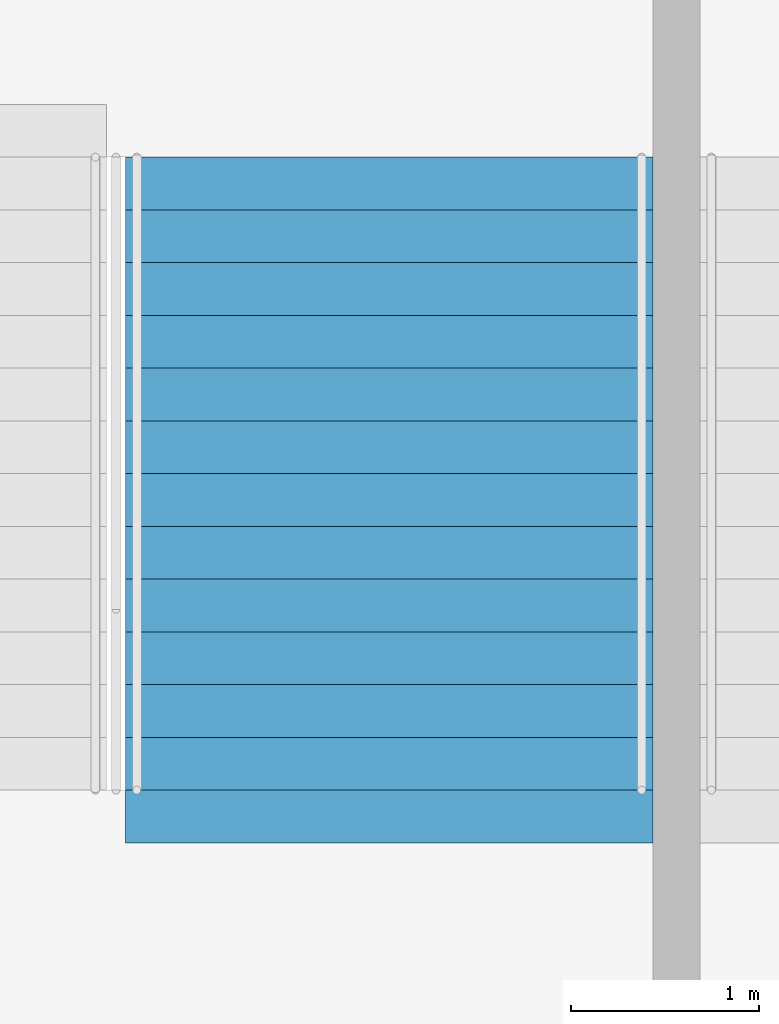
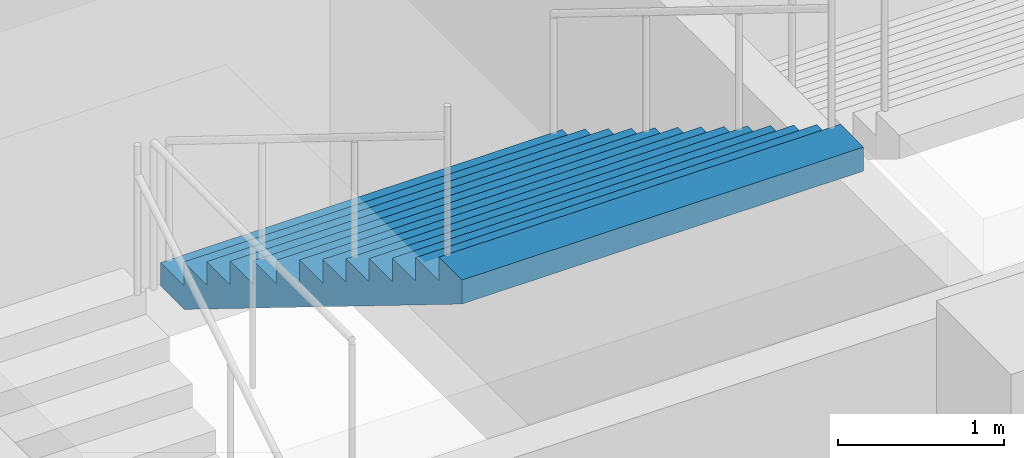
# One storey, part 216 of 249: 1 stair flight, 1 element without a shape of its own.
"""IFC4 building model written with IfcOpenShell, lengths in metres."""

from ifc_helpers import new_model, si_unit, direction, frame, origin, place, context, subcontext, project, spatial, faceted_brep, material, type_object, element, aggregate, save


model = new_model("IFC4")

# Units and contexts
model_context = context("Model", 3, precision=1e-05, world=origin(), true_north=direction((0.0, 1.0)))
body_context = subcontext(model_context, "Body", "Model", "MODEL_VIEW")
ifc_project = project(units=[si_unit("LENGTHUNIT", "METRE"), si_unit("AREAUNIT", "SQUARE_METRE"), si_unit("VOLUMEUNIT", "CUBIC_METRE"), si_unit("PLANEANGLEUNIT", "RADIAN"), si_unit("MASSUNIT", "GRAM", prefix="KILO")], contexts=[model_context])

# Site, building, storey
site_placement = place(None, origin())
site = spatial("IfcSite", under=ifc_project, at=site_placement, CompositionType="ELEMENT")
building_placement = place(site_placement, origin())
building = spatial("IfcBuilding", under=site, at=building_placement, Name="Ogive Plaza Stadium", CompositionType="ELEMENT")
storey_placement = place(building_placement, frame((0.0, 0.0, 13.5)))
storey = spatial("IfcBuildingStorey", under=building, at=storey_placement, Name="L03", CompositionType="ELEMENT", Elevation=13.5)

# Stair, stair flight
ifc_material_1 = material(Name="Concrete C40/50", Category="concrete")
stair_type = type_object("IfcStairType", Name="Exit stair", PredefinedType="STRAIGHT_RUN_STAIR", material=ifc_material_1)
stair_placement = place(storey_placement, origin())
stair = element("IfcStair", 1, at=stair_placement, inside=storey, type_object=stair_type, Name="Exit stair ST36B L03 to L04", PredefinedType="STRAIGHT_RUN_STAIR")
ifc_material_2 = material(Name="Concrete C40/50", Category="concrete")
stair_flight_type = type_object("IfcStairFlightType", Name="Exit stair flight", PredefinedType="STRAIGHT", material=ifc_material_2)
stair_flight_placement = place(storey_placement, frame((18.875, 98.2099609375, 2.25), z_axis=(0.0, 0.0, 1.0), x_axis=(0.0, -1.0, 0.0)))
stair_flight = element("IfcStairFlight", 2, at=stair_flight_placement, type_object=stair_flight_type, Name="ST36B flight 2", NumberOfRisers=13, NumberOfTreads=12, PredefinedType="STRAIGHT", RiserHeight=0.173076923, TreadLength=0.28, context=body_context, shape_type="Brep", body=[
    faceted_brep([(0.28515625, -1.39990234375, 0.0), (3.639892578125, -1.39990234375, 2.07373046875), (3.639892578125, -1.39990234375, 2.25), (3.360107421875, -1.39990234375, 2.25), (3.360107421875, -1.39990234375, 2.076904296875), (3.080078125, -1.39990234375, 2.076904296875), (3.080078125, -1.39990234375, 1.90380859375), (2.800048828125, -1.39990234375, 1.90380859375), (2.800048828125, -1.39990234375, 1.730712890625), (2.52001953125, -1.39990234375, 1.730712890625), (2.52001953125, -1.39990234375, 1.5576171875), (2.239990234375, -1.39990234375, 1.5576171875), (2.239990234375, -1.39990234375, 1.384521484375), (1.9599609375, -1.39990234375, 1.384521484375), (1.9599609375, -1.39990234375, 1.21142578125), (1.679931640625, -1.39990234375, 1.21142578125), (1.679931640625, -1.39990234375, 1.03857421875), (1.39990234375, -1.39990234375, 1.03857421875), (1.39990234375, -1.39990234375, 0.865478515625), (1.1201171875, -1.39990234375, 0.865478515625), (1.1201171875, -1.39990234375, 0.6923828125), (0.840087890625, -1.39990234375, 0.6923828125), (0.840087890625, -1.39990234375, 0.519287109375), (0.56005859375, -1.39990234375, 0.519287109375), (0.56005859375, -1.39990234375, 0.34619140625), (0.280029296875, -1.39990234375, 0.34619140625), (0.280029296875, -1.39990234375, 0.173095703125), (0.0, -1.39990234375, 0.173095703125), (0.0, -1.39990234375, 0.0), (0.0, 1.39990234375, 0.0), (0.0, 1.39990234375, 0.173095703125), (0.280029296875, 1.39990234375, 0.173095703125), (0.280029296875, 1.39990234375, 0.34619140625), (0.56005859375, 1.39990234375, 0.34619140625), (0.56005859375, 1.39990234375, 0.519287109375), (0.840087890625, 1.39990234375, 0.519287109375), (0.840087890625, 1.39990234375, 0.6923828125), (1.1201171875, 1.39990234375, 0.6923828125), (1.1201171875, 1.39990234375, 0.865478515625), (1.39990234375, 1.39990234375, 0.865478515625), (1.39990234375, 1.39990234375, 1.03857421875), (1.679931640625, 1.39990234375, 1.03857421875), (1.679931640625, 1.39990234375, 1.21142578125), (1.9599609375, 1.39990234375, 1.21142578125), (1.9599609375, 1.39990234375, 1.384521484375), (2.239990234375, 1.39990234375, 1.384521484375), (2.239990234375, 1.39990234375, 1.5576171875), (2.52001953125, 1.39990234375, 1.5576171875), (2.52001953125, 1.39990234375, 1.730712890625), (2.800048828125, 1.39990234375, 1.730712890625), (2.800048828125, 1.39990234375, 1.90380859375), (3.080078125, 1.39990234375, 1.90380859375), (3.080078125, 1.39990234375, 2.076904296875), (3.360107421875, 1.39990234375, 2.076904296875), (3.360107421875, 1.39990234375, 2.25), (3.639892578125, 1.39990234375, 2.25), (3.639892578125, 1.39990234375, 2.07373046875), (0.28515625, 1.39990234375, 0.0), (0.28515625, -1.0888671875, 0.0), (3.639892578125, -1.0888671875, 2.07373046875), (0.28515625, -0.77783203125, 0.0), (3.639892578125, -0.77783203125, 2.07373046875), (0.28515625, -0.466796875, 0.0), (3.639892578125, -0.466796875, 2.07373046875), (0.28515625, -0.155517578125, 0.0), (3.639892578125, -0.155517578125, 2.07373046875), (0.28515625, 0.155517578125, 0.0), (3.639892578125, 0.155517578125, 2.07373046875), (0.28515625, 0.466796875, 0.0), (3.639892578125, 0.466796875, 2.07373046875), (0.28515625, 0.77783203125, 0.0), (3.639892578125, 0.77783203125, 2.07373046875), (0.28515625, 1.0888671875, 0.0), (3.639892578125, 1.0888671875, 2.07373046875), (3.639892578125, -1.0888671875, 2.25), (3.639892578125, -0.77783203125, 2.25), (3.639892578125, -0.466796875, 2.25), (3.639892578125, -0.155517578125, 2.25), (3.639892578125, 0.155517578125, 2.25), (3.639892578125, 0.466796875, 2.25), (3.639892578125, 0.77783203125, 2.25), (3.639892578125, 1.0888671875, 2.25), (3.360107421875, -1.0888671875, 2.25), (3.360107421875, -0.77783203125, 2.25), (3.360107421875, -0.466796875, 2.25), (3.360107421875, -0.155517578125, 2.25), (3.360107421875, 0.155517578125, 2.25), (3.360107421875, 0.466796875, 2.25), (3.360107421875, 0.77783203125, 2.25), (3.360107421875, 1.0888671875, 2.25), (3.360107421875, -1.0888671875, 2.076904296875), (3.360107421875, -0.77783203125, 2.076904296875), (3.360107421875, -0.466796875, 2.076904296875), (3.360107421875, -0.155517578125, 2.076904296875), (3.360107421875, 0.155517578125, 2.076904296875), (3.360107421875, 0.466796875, 2.076904296875), (3.360107421875, 0.77783203125, 2.076904296875), (3.360107421875, 1.0888671875, 2.076904296875), (3.080078125, -1.0888671875, 2.076904296875), (3.080078125, -0.77783203125, 2.076904296875), (3.080078125, -0.466796875, 2.076904296875), (3.080078125, -0.155517578125, 2.076904296875), (3.080078125, 0.155517578125, 2.076904296875), (3.080078125, 0.466796875, 2.076904296875), (3.080078125, 0.77783203125, 2.076904296875), (3.080078125, 1.0888671875, 2.076904296875), (3.080078125, -1.0888671875, 1.90380859375), (3.080078125, -0.77783203125, 1.90380859375), (3.080078125, -0.466796875, 1.90380859375), (3.080078125, -0.155517578125, 1.90380859375), (3.080078125, 0.155517578125, 1.90380859375), (3.080078125, 0.466796875, 1.90380859375), (3.080078125, 0.77783203125, 1.90380859375), (3.080078125, 1.0888671875, 1.90380859375), (2.800048828125, -1.0888671875, 1.90380859375), (2.800048828125, -0.77783203125, 1.90380859375), (2.800048828125, -0.466796875, 1.90380859375), (2.800048828125, -0.155517578125, 1.90380859375), (2.800048828125, 0.155517578125, 1.90380859375), (2.800048828125, 0.466796875, 1.90380859375), (2.800048828125, 0.77783203125, 1.90380859375), (2.800048828125, 1.0888671875, 1.90380859375), (2.800048828125, -1.0888671875, 1.730712890625), (2.800048828125, -0.77783203125, 1.730712890625), (2.800048828125, -0.466796875, 1.730712890625), (2.800048828125, -0.155517578125, 1.730712890625), (2.800048828125, 0.155517578125, 1.730712890625), (2.800048828125, 0.466796875, 1.730712890625), (2.800048828125, 0.77783203125, 1.730712890625), (2.800048828125, 1.0888671875, 1.730712890625), (2.52001953125, -1.0888671875, 1.730712890625), (2.52001953125, -0.77783203125, 1.730712890625), (2.52001953125, -0.466796875, 1.730712890625), (2.52001953125, -0.155517578125, 1.730712890625), (2.52001953125, 0.155517578125, 1.730712890625), (2.52001953125, 0.466796875, 1.730712890625), (2.52001953125, 0.77783203125, 1.730712890625), (2.52001953125, 1.0888671875, 1.730712890625), (2.52001953125, -1.0888671875, 1.5576171875), (2.52001953125, -0.77783203125, 1.5576171875), (2.52001953125, -0.466796875, 1.5576171875), (2.52001953125, -0.155517578125, 1.5576171875), (2.52001953125, 0.155517578125, 1.5576171875), (2.52001953125, 0.466796875, 1.5576171875), (2.52001953125, 0.77783203125, 1.5576171875), (2.52001953125, 1.0888671875, 1.5576171875), (2.239990234375, -1.0888671875, 1.5576171875), (2.239990234375, -0.77783203125, 1.5576171875), (2.239990234375, -0.466796875, 1.5576171875), (2.239990234375, -0.155517578125, 1.5576171875), (2.239990234375, 0.155517578125, 1.5576171875), (2.239990234375, 0.466796875, 1.5576171875), (2.239990234375, 0.77783203125, 1.5576171875), (2.239990234375, 1.0888671875, 1.5576171875), (2.239990234375, -1.0888671875, 1.384521484375), (2.239990234375, -0.77783203125, 1.384521484375), (2.239990234375, -0.466796875, 1.384521484375), (2.239990234375, -0.155517578125, 1.384521484375), (2.239990234375, 0.155517578125, 1.384521484375), (2.239990234375, 0.466796875, 1.384521484375), (2.239990234375, 0.77783203125, 1.384521484375), (2.239990234375, 1.0888671875, 1.384521484375), (1.9599609375, -1.0888671875, 1.384521484375), (1.9599609375, -0.77783203125, 1.384521484375), (1.9599609375, -0.466796875, 1.384521484375), (1.9599609375, -0.155517578125, 1.384521484375), (1.9599609375, 0.155517578125, 1.384521484375), (1.9599609375, 0.466796875, 1.384521484375), (1.9599609375, 0.77783203125, 1.384521484375), (1.9599609375, 1.0888671875, 1.384521484375), (1.9599609375, -1.0888671875, 1.21142578125), (1.9599609375, -0.77783203125, 1.21142578125), (1.9599609375, -0.466796875, 1.21142578125), (1.9599609375, -0.155517578125, 1.21142578125), (1.9599609375, 0.155517578125, 1.21142578125), (1.9599609375, 0.466796875, 1.21142578125), (1.9599609375, 0.77783203125, 1.21142578125), (1.9599609375, 1.0888671875, 1.21142578125), (1.679931640625, -1.0888671875, 1.21142578125), (1.679931640625, -0.77783203125, 1.21142578125), (1.679931640625, -0.466796875, 1.21142578125), (1.679931640625, -0.155517578125, 1.21142578125), (1.679931640625, 0.155517578125, 1.21142578125), (1.679931640625, 0.466796875, 1.21142578125), (1.679931640625, 0.77783203125, 1.21142578125), (1.679931640625, 1.0888671875, 1.21142578125), (1.679931640625, -1.0888671875, 1.03857421875), (1.679931640625, -0.77783203125, 1.03857421875), (1.679931640625, -0.466796875, 1.03857421875), (1.679931640625, -0.155517578125, 1.03857421875), (1.679931640625, 0.155517578125, 1.03857421875), (1.679931640625, 0.466796875, 1.03857421875), (1.679931640625, 0.77783203125, 1.03857421875), (1.679931640625, 1.0888671875, 1.03857421875), (1.39990234375, -1.0888671875, 1.03857421875), (1.39990234375, -0.77783203125, 1.03857421875), (1.39990234375, -0.466796875, 1.03857421875), (1.39990234375, -0.155517578125, 1.03857421875), (1.39990234375, 0.155517578125, 1.03857421875), (1.39990234375, 0.466796875, 1.03857421875), (1.39990234375, 0.77783203125, 1.03857421875), (1.39990234375, 1.0888671875, 1.03857421875), (1.39990234375, -1.0888671875, 0.865478515625), (1.39990234375, -0.77783203125, 0.865478515625), (1.39990234375, -0.466796875, 0.865478515625), (1.39990234375, -0.155517578125, 0.865478515625), (1.39990234375, 0.155517578125, 0.865478515625), (1.39990234375, 0.466796875, 0.865478515625), (1.39990234375, 0.77783203125, 0.865478515625), (1.39990234375, 1.0888671875, 0.865478515625), (1.1201171875, -1.0888671875, 0.865478515625), (1.1201171875, -0.77783203125, 0.865478515625), (1.1201171875, -0.466796875, 0.865478515625), (1.1201171875, -0.155517578125, 0.865478515625), (1.1201171875, 0.155517578125, 0.865478515625), (1.1201171875, 0.466796875, 0.865478515625), (1.1201171875, 0.77783203125, 0.865478515625), (1.1201171875, 1.0888671875, 0.865478515625), (1.1201171875, -1.0888671875, 0.6923828125), (1.1201171875, -0.77783203125, 0.6923828125), (1.1201171875, -0.466796875, 0.6923828125), (1.1201171875, -0.155517578125, 0.6923828125), (1.1201171875, 0.155517578125, 0.6923828125), (1.1201171875, 0.466796875, 0.6923828125), (1.1201171875, 0.77783203125, 0.6923828125), (1.1201171875, 1.0888671875, 0.6923828125), (0.840087890625, -1.0888671875, 0.6923828125), (0.840087890625, -0.77783203125, 0.6923828125), (0.840087890625, -0.466796875, 0.6923828125), (0.840087890625, -0.155517578125, 0.6923828125), (0.840087890625, 0.155517578125, 0.6923828125), (0.840087890625, 0.466796875, 0.6923828125), (0.840087890625, 0.77783203125, 0.6923828125), (0.840087890625, 1.0888671875, 0.6923828125), (0.840087890625, -1.0888671875, 0.519287109375), (0.840087890625, -0.77783203125, 0.519287109375), (0.840087890625, -0.466796875, 0.519287109375), (0.840087890625, -0.155517578125, 0.519287109375), (0.840087890625, 0.155517578125, 0.519287109375), (0.840087890625, 0.466796875, 0.519287109375), (0.840087890625, 0.77783203125, 0.519287109375), (0.840087890625, 1.0888671875, 0.519287109375), (0.56005859375, -1.0888671875, 0.519287109375), (0.56005859375, -0.77783203125, 0.519287109375), (0.56005859375, -0.466796875, 0.519287109375), (0.56005859375, -0.155517578125, 0.519287109375), (0.56005859375, 0.155517578125, 0.519287109375), (0.56005859375, 0.466796875, 0.519287109375), (0.56005859375, 0.77783203125, 0.519287109375), (0.56005859375, 1.0888671875, 0.519287109375), (0.56005859375, -1.0888671875, 0.34619140625), (0.56005859375, -0.77783203125, 0.34619140625), (0.56005859375, -0.466796875, 0.34619140625), (0.56005859375, -0.155517578125, 0.34619140625), (0.56005859375, 0.155517578125, 0.34619140625), (0.56005859375, 0.466796875, 0.34619140625), (0.56005859375, 0.77783203125, 0.34619140625), (0.56005859375, 1.0888671875, 0.34619140625), (0.280029296875, -1.0888671875, 0.34619140625), (0.280029296875, -0.77783203125, 0.34619140625), (0.280029296875, -0.466796875, 0.34619140625), (0.280029296875, -0.155517578125, 0.34619140625), (0.280029296875, 0.155517578125, 0.34619140625), (0.280029296875, 0.466796875, 0.34619140625), (0.280029296875, 0.77783203125, 0.34619140625), (0.280029296875, 1.0888671875, 0.34619140625), (0.280029296875, -1.0888671875, 0.173095703125), (0.280029296875, -0.77783203125, 0.173095703125), (0.280029296875, -0.466796875, 0.173095703125), (0.280029296875, -0.155517578125, 0.173095703125), (0.280029296875, 0.155517578125, 0.173095703125), (0.280029296875, 0.466796875, 0.173095703125), (0.280029296875, 0.77783203125, 0.173095703125), (0.280029296875, 1.0888671875, 0.173095703125), (0.0, -1.0888671875, 0.173095703125), (0.0, -0.77783203125, 0.173095703125), (0.0, -0.466796875, 0.173095703125), (0.0, -0.155517578125, 0.173095703125), (0.0, 0.155517578125, 0.173095703125), (0.0, 0.466796875, 0.173095703125), (0.0, 0.77783203125, 0.173095703125), (0.0, 1.0888671875, 0.173095703125), (0.0, -1.0888671875, 0.0), (0.0, -0.77783203125, 0.0), (0.0, -0.466796875, 0.0), (0.0, -0.155517578125, 0.0), (0.0, 0.155517578125, 0.0), (0.0, 0.466796875, 0.0), (0.0, 0.77783203125, 0.0), (0.0, 1.0888671875, 0.0)], [[[0, 1, 2, 3, 4, 5, 6, 7, 8, 9, 10, 11, 12, 13, 14, 15, 16, 17, 18, 19, 20, 21, 22, 23, 24, 25, 26, 27, 28]], [[29, 30, 31, 32, 33, 34, 35, 36, 37, 38, 39, 40, 41, 42, 43, 44, 45, 46, 47, 48, 49, 50, 51, 52, 53, 54, 55, 56, 57]], [[0, 58, 59, 1]], [[58, 60, 61, 59]], [[60, 62, 63, 61]], [[62, 64, 65, 63]], [[64, 66, 67, 65]], [[66, 68, 69, 67]], [[68, 70, 71, 69]], [[70, 72, 73, 71]], [[72, 57, 56, 73]], [[1, 59, 74, 2]], [[59, 61, 75, 74]], [[61, 63, 76, 75]], [[63, 65, 77, 76]], [[65, 67, 78, 77]], [[67, 69, 79, 78]], [[69, 71, 80, 79]], [[71, 73, 81, 80]], [[73, 56, 55, 81]], [[2, 74, 82, 3]], [[74, 75, 83, 82]], [[75, 76, 84, 83]], [[76, 77, 85, 84]], [[77, 78, 86, 85]], [[78, 79, 87, 86]], [[79, 80, 88, 87]], [[80, 81, 89, 88]], [[81, 55, 54, 89]], [[3, 82, 90, 4]], [[82, 83, 91, 90]], [[83, 84, 92, 91]], [[84, 85, 93, 92]], [[85, 86, 94, 93]], [[86, 87, 95, 94]], [[87, 88, 96, 95]], [[88, 89, 97, 96]], [[89, 54, 53, 97]], [[4, 90, 98, 5]], [[90, 91, 99, 98]], [[91, 92, 100, 99]], [[92, 93, 101, 100]], [[93, 94, 102, 101]], [[94, 95, 103, 102]], [[95, 96, 104, 103]], [[96, 97, 105, 104]], [[97, 53, 52, 105]], [[5, 98, 106, 6]], [[98, 99, 107, 106]], [[99, 100, 108, 107]], [[100, 101, 109, 108]], [[101, 102, 110, 109]], [[102, 103, 111, 110]], [[103, 104, 112, 111]], [[104, 105, 113, 112]], [[105, 52, 51, 113]], [[6, 106, 114, 7]], [[106, 107, 115, 114]], [[107, 108, 116, 115]], [[108, 109, 117, 116]], [[109, 110, 118, 117]], [[110, 111, 119, 118]], [[111, 112, 120, 119]], [[112, 113, 121, 120]], [[113, 51, 50, 121]], [[7, 114, 122, 8]], [[114, 115, 123, 122]], [[115, 116, 124, 123]], [[116, 117, 125, 124]], [[117, 118, 126, 125]], [[118, 119, 127, 126]], [[119, 120, 128, 127]], [[120, 121, 129, 128]], [[121, 50, 49, 129]], [[8, 122, 130, 9]], [[122, 123, 131, 130]], [[123, 124, 132, 131]], [[124, 125, 133, 132]], [[125, 126, 134, 133]], [[126, 127, 135, 134]], [[127, 128, 136, 135]], [[128, 129, 137, 136]], [[129, 49, 48, 137]], [[9, 130, 138, 10]], [[130, 131, 139, 138]], [[131, 132, 140, 139]], [[132, 133, 141, 140]], [[133, 134, 142, 141]], [[134, 135, 143, 142]], [[135, 136, 144, 143]], [[136, 137, 145, 144]], [[137, 48, 47, 145]], [[10, 138, 146, 11]], [[138, 139, 147, 146]], [[139, 140, 148, 147]], [[140, 141, 149, 148]], [[141, 142, 150, 149]], [[142, 143, 151, 150]], [[143, 144, 152, 151]], [[144, 145, 153, 152]], [[145, 47, 46, 153]], [[11, 146, 154, 12]], [[146, 147, 155, 154]], [[147, 148, 156, 155]], [[148, 149, 157, 156]], [[149, 150, 158, 157]], [[150, 151, 159, 158]], [[151, 152, 160, 159]], [[152, 153, 161, 160]], [[153, 46, 45, 161]], [[12, 154, 162, 13]], [[154, 155, 163, 162]], [[155, 156, 164, 163]], [[156, 157, 165, 164]], [[157, 158, 166, 165]], [[158, 159, 167, 166]], [[159, 160, 168, 167]], [[160, 161, 169, 168]], [[161, 45, 44, 169]], [[13, 162, 170, 14]], [[162, 163, 171, 170]], [[163, 164, 172, 171]], [[164, 165, 173, 172]], [[165, 166, 174, 173]], [[166, 167, 175, 174]], [[167, 168, 176, 175]], [[168, 169, 177, 176]], [[169, 44, 43, 177]], [[14, 170, 178, 15]], [[170, 171, 179, 178]], [[171, 172, 180, 179]], [[172, 173, 181, 180]], [[173, 174, 182, 181]], [[174, 175, 183, 182]], [[175, 176, 184, 183]], [[176, 177, 185, 184]], [[177, 43, 42, 185]], [[15, 178, 186, 16]], [[178, 179, 187, 186]], [[179, 180, 188, 187]], [[180, 181, 189, 188]], [[181, 182, 190, 189]], [[182, 183, 191, 190]], [[183, 184, 192, 191]], [[184, 185, 193, 192]], [[185, 42, 41, 193]], [[16, 186, 194, 17]], [[186, 187, 195, 194]], [[187, 188, 196, 195]], [[188, 189, 197, 196]], [[189, 190, 198, 197]], [[190, 191, 199, 198]], [[191, 192, 200, 199]], [[192, 193, 201, 200]], [[193, 41, 40, 201]], [[17, 194, 202, 18]], [[194, 195, 203, 202]], [[195, 196, 204, 203]], [[196, 197, 205, 204]], [[197, 198, 206, 205]], [[198, 199, 207, 206]], [[199, 200, 208, 207]], [[200, 201, 209, 208]], [[201, 40, 39, 209]], [[18, 202, 210, 19]], [[202, 203, 211, 210]], [[203, 204, 212, 211]], [[204, 205, 213, 212]], [[205, 206, 214, 213]], [[206, 207, 215, 214]], [[207, 208, 216, 215]], [[208, 209, 217, 216]], [[209, 39, 38, 217]], [[19, 210, 218, 20]], [[210, 211, 219, 218]], [[211, 212, 220, 219]], [[212, 213, 221, 220]], [[213, 214, 222, 221]], [[214, 215, 223, 222]], [[215, 216, 224, 223]], [[216, 217, 225, 224]], [[217, 38, 37, 225]], [[20, 218, 226, 21]], [[218, 219, 227, 226]], [[219, 220, 228, 227]], [[220, 221, 229, 228]], [[221, 222, 230, 229]], [[222, 223, 231, 230]], [[223, 224, 232, 231]], [[224, 225, 233, 232]], [[225, 37, 36, 233]], [[21, 226, 234, 22]], [[226, 227, 235, 234]], [[227, 228, 236, 235]], [[228, 229, 237, 236]], [[229, 230, 238, 237]], [[230, 231, 239, 238]], [[231, 232, 240, 239]], [[232, 233, 241, 240]], [[233, 36, 35, 241]], [[22, 234, 242, 23]], [[234, 235, 243, 242]], [[235, 236, 244, 243]], [[236, 237, 245, 244]], [[237, 238, 246, 245]], [[238, 239, 247, 246]], [[239, 240, 248, 247]], [[240, 241, 249, 248]], [[241, 35, 34, 249]], [[23, 242, 250, 24]], [[242, 243, 251, 250]], [[243, 244, 252, 251]], [[244, 245, 253, 252]], [[245, 246, 254, 253]], [[246, 247, 255, 254]], [[247, 248, 256, 255]], [[248, 249, 257, 256]], [[249, 34, 33, 257]], [[24, 250, 258, 25]], [[250, 251, 259, 258]], [[251, 252, 260, 259]], [[252, 253, 261, 260]], [[253, 254, 262, 261]], [[254, 255, 263, 262]], [[255, 256, 264, 263]], [[256, 257, 265, 264]], [[257, 33, 32, 265]], [[25, 258, 266, 26]], [[258, 259, 267, 266]], [[259, 260, 268, 267]], [[260, 261, 269, 268]], [[261, 262, 270, 269]], [[262, 263, 271, 270]], [[263, 264, 272, 271]], [[264, 265, 273, 272]], [[265, 32, 31, 273]], [[26, 266, 274, 27]], [[266, 267, 275, 274]], [[267, 268, 276, 275]], [[268, 269, 277, 276]], [[269, 270, 278, 277]], [[270, 271, 279, 278]], [[271, 272, 280, 279]], [[272, 273, 281, 280]], [[273, 31, 30, 281]], [[27, 274, 282, 28]], [[274, 275, 283, 282]], [[275, 276, 284, 283]], [[276, 277, 285, 284]], [[277, 278, 286, 285]], [[278, 279, 287, 286]], [[279, 280, 288, 287]], [[280, 281, 289, 288]], [[281, 30, 29, 289]], [[28, 282, 58, 0]], [[282, 283, 60, 58]], [[283, 284, 62, 60]], [[284, 285, 64, 62]], [[285, 286, 66, 64]], [[286, 287, 68, 66]], [[287, 288, 70, 68]], [[288, 289, 72, 70]], [[289, 29, 57, 72]]]),
])
aggregate(stair, [stair_flight])

save(model, "model.ifc")
